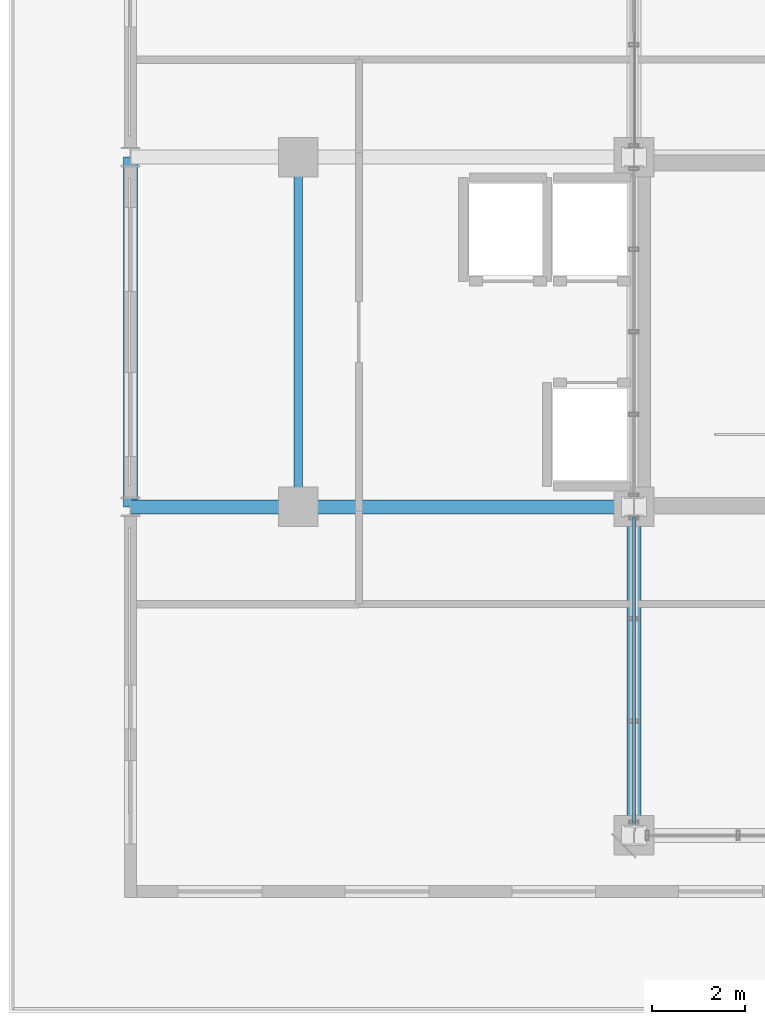
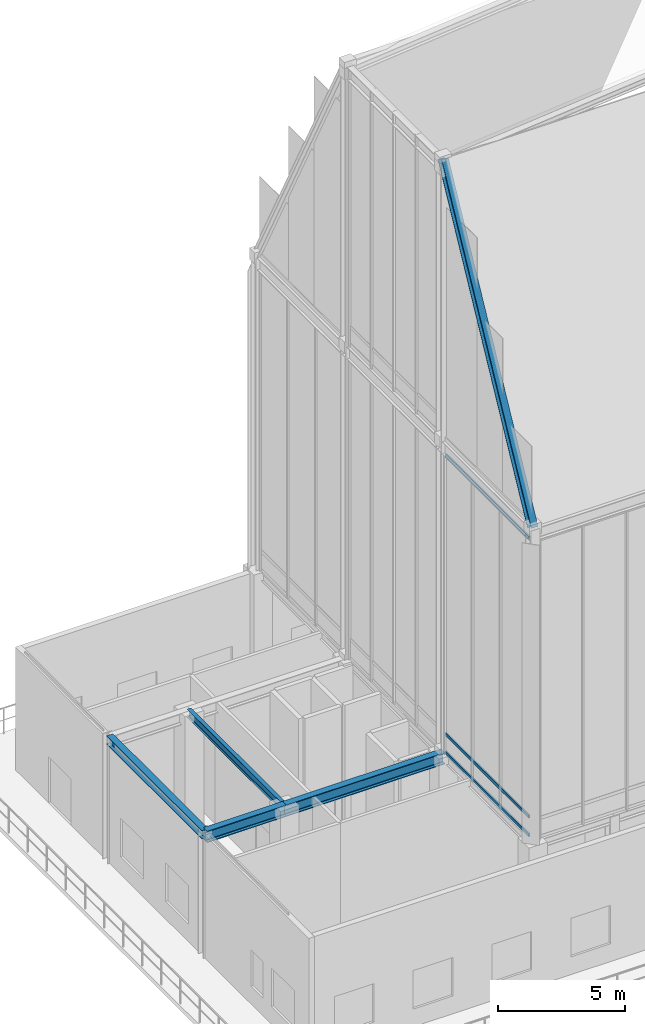
# One storey, part 3 of 49: 4 beams, 4 members, 1 element without a shape of its own.
"""IFC4 building model written with IfcOpenShell, lengths in metres."""

from ifc_helpers import new_model, si_unit, direction, frame, origin, origin_2d, place, context, subcontext, project, spatial, hollow_rectangle, i_section, extrude, source, transform, mapped, material, layer, layer_set, material_profile, profile_set, type_object, element, aggregate, save


model = new_model("IFC4")

# Units and contexts
model_context = context("Model", 3, precision=1e-05, world=origin(), true_north=direction((0.0, 1.0)))
body_context = subcontext(model_context, "Body", "Model", "MODEL_VIEW")
ifc_project = project(units=[si_unit("LENGTHUNIT", "METRE"), si_unit("AREAUNIT", "SQUARE_METRE"), si_unit("VOLUMEUNIT", "CUBIC_METRE"), si_unit("PLANEANGLEUNIT", "RADIAN"), si_unit("MASSUNIT", "GRAM", prefix="KILO")], contexts=[model_context])

# Site, building, storey
site_placement = place(None, origin())
site = spatial("IfcSite", under=ifc_project, at=site_placement, CompositionType="ELEMENT")
building_placement = place(site_placement, origin())
building = spatial("IfcBuilding", under=site, at=building_placement, Name="Kaliganga Portal Commons", CompositionType="ELEMENT")
storey_placement = place(building_placement, frame((0.0, 0.0, 298.0)))
storey = spatial("IfcBuildingStorey", under=building, at=storey_placement, Name="L77", CompositionType="ELEMENT", Elevation=298.0)

# Beams
ifc_material_1 = material(Name="Structural steel S355J2", Category="steel")
ifc_material_profile_1 = material_profile(ifc_material_1, i_section(OverallWidth=0.300048828125, OverallDepth=0.550048828125, WebThickness=0.014892578125, FlangeThickness=0.029052734375, FilletRadius=0.027099609375, at=origin_2d()), Name="HE 550 B")
ifc_profile_set_1 = profile_set([ifc_material_profile_1], Name="Structural steel S355J2 wide-flange")
beam_type_1 = type_object("IfcBeamType", Name="BM-GIRD-550", PredefinedType="USERDEFINED", material=ifc_profile_set_1)
shared_shape_1 = source(origin(), body_context, "Body", "SweptSolid", [
    extrude(i_section(OverallWidth=0.300048828125, OverallDepth=0.550048828125, WebThickness=0.014892578125, FlangeThickness=0.029052734375, FilletRadius=0.027099609375, at=origin_2d()), origin(), (0.0, 0.0, 1.0), 7.199951171875),
])
beam_1_placement = place(storey_placement, frame((7.199951171875, 28.64990234375, 5.72509765625), z_axis=(1.0, 0.0, 0.0), x_axis=(0.0, 1.0, 0.0)))
element("IfcBeam", 1, at=beam_1_placement, inside=storey, type_object=beam_type_1, Name="BM G L77 WAH_S 2", ObjectType="GIRDER", PredefinedType="USERDEFINED", context=body_context, shape_type="MappedRepresentation", body=[
    mapped(shared_shape_1, transform((0.0, 0.0, 0.0), x_axis=(1.0, 0.0, 0.0), y_axis=(0.0, 1.0, 0.0), z_axis=(0.0, 0.0, 1.0), scale=1.0)),
])
shared_shape_2 = source(origin(), body_context, "Body", "SweptSolid", [
    extrude(i_section(OverallWidth=0.300048828125, OverallDepth=0.550048828125, WebThickness=0.014892578125, FlangeThickness=0.029052734375, FilletRadius=0.027099609375, at=origin_2d()), origin(), (0.0, 0.0, 1.0), 3.599853515625),
])
beam_2_placement = place(storey_placement, frame((3.60009765625, 28.64990234375, 5.72509765625), z_axis=(1.0, 0.0, 0.0), x_axis=(0.0, 1.0, 0.0)))
element("IfcBeam", 2, at=beam_2_placement, inside=storey, type_object=beam_type_1, Name="BM G L77 WAH_S 1", ObjectType="GIRDER", PredefinedType="USERDEFINED", context=body_context, shape_type="MappedRepresentation", body=[
    mapped(shared_shape_2, transform((0.0, 0.0, 0.0), x_axis=(1.0, 0.0, 0.0), y_axis=(0.0, 1.0, 0.0), z_axis=(0.0, 0.0, 1.0), scale=1.0)),
])
ifc_material_profile_2 = material_profile(ifc_material_1, i_section(OverallWidth=0.300048828125, OverallDepth=0.39990234375, WebThickness=0.013427734375, FlangeThickness=0.02392578125, FilletRadius=0.027099609375, at=origin_2d()), Name="HE 400 B")
ifc_profile_set_2 = profile_set([ifc_material_profile_2], Name="Structural steel S355J2 wide-flange")
beam_type_2 = type_object("IfcBeamType", Name="BM-SPAND-400", PredefinedType="SPANDREL", material=ifc_profile_set_2)
shared_shape_3 = source(origin(), body_context, "Body", "SweptSolid", [
    extrude(i_section(OverallWidth=0.300048828125, OverallDepth=0.39990234375, WebThickness=0.013427734375, FlangeThickness=0.02392578125, FilletRadius=0.027099609375, at=origin_2d()), origin(), (0.0, 0.0, 1.0), 7.5),
])
beam_3_placement = place(storey_placement, frame((3.60009765625, 28.64990234375, 5.800048828125), z_axis=(0.0, 1.0, 0.0), x_axis=(-1.0, 0.0, 0.0)))
element("IfcBeam", 3, at=beam_3_placement, inside=storey, type_object=beam_type_2, Name="BM SP L77 AW", PredefinedType="SPANDREL", context=body_context, shape_type="MappedRepresentation", body=[
    mapped(shared_shape_3, transform((0.0, 0.0, 0.0), x_axis=(1.0, 0.0, 0.0), y_axis=(0.0, 1.0, 0.0), z_axis=(0.0, 0.0, 1.0), scale=1.0)),
])
ifc_material_profile_3 = material_profile(ifc_material_1, i_section(OverallWidth=0.179931640625, OverallDepth=0.39990234375, WebThickness=0.008544921875, FlangeThickness=0.013427734375, FilletRadius=0.02099609375, at=origin_2d()), Name="IPE 400")
ifc_profile_set_3 = profile_set([ifc_material_profile_3], Name="Structural steel S355J2 wide-flange")
beam_type_3 = type_object("IfcBeamType", Name="BM-FLR-400", PredefinedType="BEAM", material=ifc_profile_set_3)
shared_shape_4 = source(origin(), body_context, "Body", "SweptSolid", [
    extrude(i_section(OverallWidth=0.179931640625, OverallDepth=0.39990234375, WebThickness=0.008544921875, FlangeThickness=0.013427734375, FilletRadius=0.02099609375, at=origin_2d()), origin(), (0.0, 0.0, 1.0), 7.5),
])
beam_4_placement = place(storey_placement, frame((7.199951171875, 28.64990234375, 5.800048828125), z_axis=(0.0, 1.0, 0.0), x_axis=(-1.0, 0.0, 0.0)))
element("IfcBeam", 4, at=beam_4_placement, inside=storey, type_object=beam_type_3, Name="BM G L77 AW72", PredefinedType="BEAM", context=body_context, shape_type="MappedRepresentation", body=[
    mapped(shared_shape_4, transform((0.0, 0.0, 0.0), x_axis=(1.0, 0.0, 0.0), y_axis=(0.0, 1.0, 0.0), z_axis=(0.0, 0.0, 1.0), scale=1.0)),
])

# Member
ifc_material_2 = material(Name="Structural steel S460M", Category="steel")
ifc_material_profile_4 = material_profile(ifc_material_2, i_section(OverallWidth=0.300048828125, OverallDepth=0.360107421875, WebThickness=0.012451171875, FlangeThickness=0.0224609375, FilletRadius=0.027099609375, at=origin_2d()), Name="HE 360 B")
ifc_profile_set_4 = profile_set([ifc_material_profile_4], Name="Structural steel S460M wide-flange")
member_type_1 = type_object("IfcMemberType", Name="MBR-CROWN-DIAG", PredefinedType="BRACE", material=ifc_profile_set_4)
shared_shape_5 = source(origin(), body_context, "Body", "SweptSolid", [
    extrude(i_section(OverallWidth=0.300048828125, OverallDepth=0.360107421875, WebThickness=0.012451171875, FlangeThickness=0.0224609375, FilletRadius=0.027099609375, at=origin_2d()), origin(), (0.0, 0.0, 1.0), 15.150146484375),
])
member_1_placement = place(storey_placement, frame((14.39990234375, 21.60009765625, 21.0), z_axis=(0.0, 0.465330612909, 0.885136950245), x_axis=(-1.0, 0.0, 0.0)))
element("IfcMember", 5, at=member_1_placement, inside=storey, type_object=member_type_1, Name="Crown Frame Diagrid Brace CRD-01", PredefinedType="BRACE", context=body_context, shape_type="MappedRepresentation", body=[
    mapped(shared_shape_5, transform((0.0, 0.0, 0.0), x_axis=(1.0, 0.0, 0.0), y_axis=(0.0, 1.0, 0.0), z_axis=(0.0, 0.0, 1.0), scale=1.0)),
])

# Curtain wall, members
ifc_material_3 = material(Name="Anodized Aluminium and Laminated Low-E Glass", Category="aluminium")
ifc_layer = layer(ifc_material_3, 0.25)
ifc_layer_set = layer_set([ifc_layer], Name="Anodized Aluminium and Laminated Low-E Glass")
curtain_wall_type = type_object("IfcCurtainWallType", Name="CW-SYS-06", PredefinedType="NOTDEFINED", material=ifc_layer_set)
curtain_wall_placement = place(storey_placement, origin())
curtain_wall = element("IfcCurtainWall", 6, at=curtain_wall_placement, inside=storey, type_object=curtain_wall_type, Name="CW 06 L77 WS", PredefinedType="NOTDEFINED")
ifc_material_4 = material(Name="Dark Bronze Anodized Aluminium", Category="aluminium")
ifc_material_profile_5 = material_profile(ifc_material_4, hollow_rectangle(XDim=0.070068359375, YDim=0.14990234375, WallThickness=0.00341796875, at=origin_2d()), Name="ALU TRAN 70x150x3.5")
ifc_profile_set_5 = profile_set([ifc_material_profile_5], Name="Dark Bronze Anodized Aluminium")
member_type_2 = type_object("IfcMemberType", Name="CW-TRN-150", PredefinedType="USERDEFINED", material=ifc_profile_set_5)
shared_shape_6 = source(origin(), body_context, "Body", "SweptSolid", [
    extrude(hollow_rectangle(XDim=0.070068359375, YDim=0.14990234375, WallThickness=0.00341796875, at=origin_2d()), origin(), (0.0, 0.0, 1.0), 6.5498046875),
])
member_2_placement = place(storey_placement, frame((14.39990234375, 21.8701171875, 6.06005859375), z_axis=(0.0, 1.0, 0.0), x_axis=(-1.0, 0.0, 0.0)))
member_2 = element("IfcMember", 7, at=member_2_placement, type_object=member_type_2, Name="CW:06:L77:WS Transom 1", ObjectType="TRANSOM", PredefinedType="USERDEFINED", context=body_context, shape_type="MappedRepresentation", body=[
    mapped(shared_shape_6, transform((0.0, 0.0, 0.0), x_axis=(1.0, 0.0, 0.0), y_axis=(0.0, 1.0, 0.0), z_axis=(0.0, 0.0, 1.0), scale=1.0)),
])
member_3_placement = place(storey_placement, frame((14.39990234375, 21.8701171875, 6.949951171875), z_axis=(0.0, 1.0, 0.0), x_axis=(-1.0, 0.0, 0.0)))
member_3 = element("IfcMember", 8, at=member_3_placement, type_object=member_type_2, Name="CW:06:L77:WS Transom 2", ObjectType="TRANSOM", PredefinedType="USERDEFINED", context=body_context, shape_type="MappedRepresentation", body=[
    mapped(shared_shape_6, transform((0.0, 0.0, 0.0), x_axis=(1.0, 0.0, 0.0), y_axis=(0.0, 1.0, 0.0), z_axis=(0.0, 0.0, 1.0), scale=1.0)),
])
member_4_placement = place(storey_placement, frame((14.39990234375, 21.8701171875, 20.320068359375), z_axis=(0.0, 1.0, 0.0), x_axis=(-1.0, 0.0, 0.0)))
member_4 = element("IfcMember", 9, at=member_4_placement, type_object=member_type_2, Name="CW:06:L77:WS Transom 3", ObjectType="TRANSOM", PredefinedType="USERDEFINED", context=body_context, shape_type="MappedRepresentation", body=[
    mapped(shared_shape_6, transform((0.0, 0.0, 0.0), x_axis=(1.0, 0.0, 0.0), y_axis=(0.0, 1.0, 0.0), z_axis=(0.0, 0.0, 1.0), scale=1.0)),
])
aggregate(curtain_wall, [member_2, member_3, member_4])

save(model, "model.ifc")
